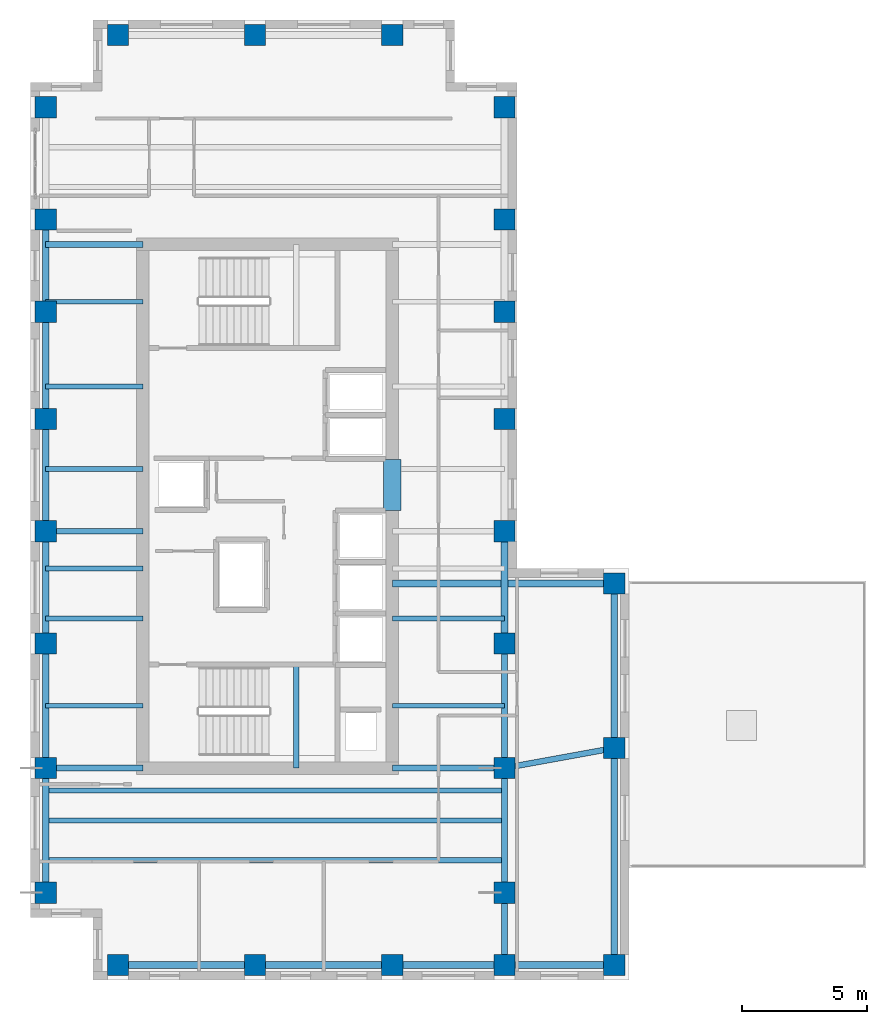
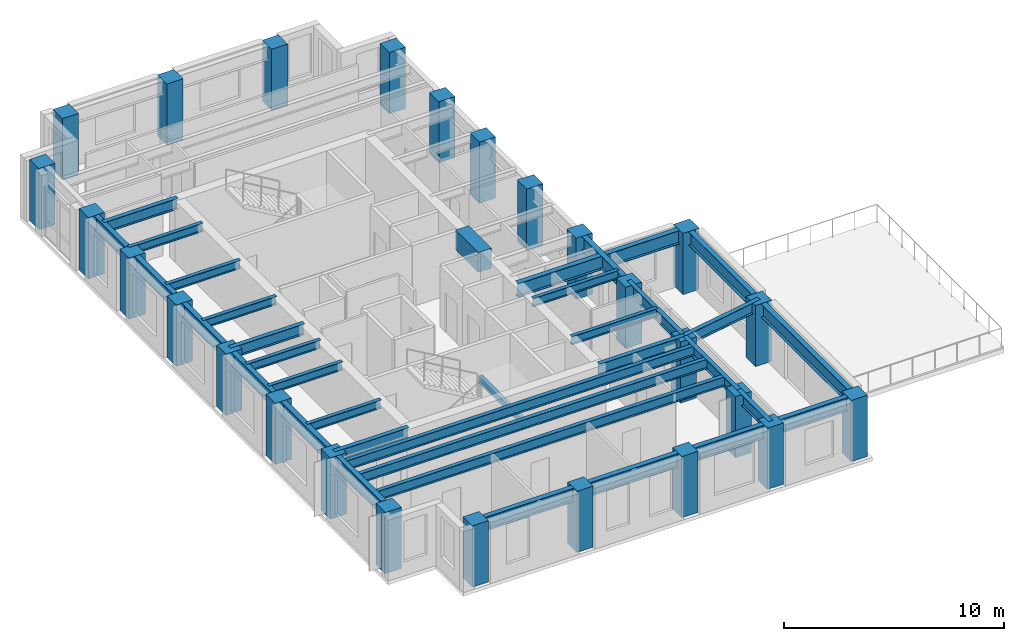
# One storey, part 1 of 11: 35 beams, 26 columns.
"""IFC4 building model written with IfcOpenShell, lengths in metres."""

from ifc_helpers import new_model, si_unit, direction, frame, origin, origin_2d, place, context, subcontext, project, spatial, rectangle, i_section, extrude, source, transform, mapped, material, material_profile, profile_set, type_object, element, save


model = new_model("IFC4")

# Units and contexts
model_context = context("Model", 3, precision=1e-05, world=origin(), true_north=direction((0.0, 1.0)))
body_context = subcontext(model_context, "Body", "Model", "MODEL_VIEW")
ifc_project = project(units=[si_unit("LENGTHUNIT", "METRE"), si_unit("AREAUNIT", "SQUARE_METRE"), si_unit("VOLUMEUNIT", "CUBIC_METRE"), si_unit("PLANEANGLEUNIT", "RADIAN"), si_unit("MASSUNIT", "GRAM", prefix="KILO")], contexts=[model_context])

# Site, building, storey
site_placement = place(None, origin())
site = spatial("IfcSite", under=ifc_project, at=site_placement, CompositionType="ELEMENT")
building_placement = place(site_placement, origin())
building = spatial("IfcBuilding", under=site, at=building_placement, Name="Kharzan Plaza Tower", CompositionType="ELEMENT")
storey_placement = place(building_placement, frame((0.0, 0.0, 262.800048828125)))
storey = spatial("IfcBuildingStorey", under=building, at=storey_placement, Name="L71", CompositionType="ELEMENT", Elevation=262.800048828125)

# Columns
ifc_material_1 = material(Name="Concrete C50/60", Category="concrete")
ifc_material_profile_1 = material_profile(ifc_material_1, rectangle(XDim=0.85009765625, YDim=0.85009765625, at=origin_2d()), Name="RC-TC850x850")
ifc_profile_set_1 = profile_set([ifc_material_profile_1], Name="Concrete C50/60")
column_type = type_object("IfcColumnType", Name="COL-TC850", PredefinedType="COLUMN", material=ifc_profile_set_1)
shared_shape_1 = source(origin(), body_context, "Body", "SweptSolid", [
    extrude(rectangle(XDim=0.85009765625, YDim=0.85009765625, at=origin_2d()), origin(), (0.0, 0.0, 1.0), 3.39990234375),
])
for number, where, z_axis, x_axis, name in (
    (1, (19.0, 13.5, 0.0), (0.0, 0.0, 1.0), (1.0, 0.0, 0.0), "L71 Structural Column TCA-135"),
    (2, (19.0, 18.0, 0.0), (0.0, 0.0, 1.0), (1.0, 0.0, 0.0), "L71 Structural Column TCA-180"),
    (3, (19.0, 22.5, 0.0), (0.0, 0.0, 1.0), (1.0, 0.0, 0.0), "L71 Structural Column TCA-225"),
    (4, (19.0, 26.800048828125, 0.0), (0.0, 0.0, 1.0), (1.0, 0.0, 0.0), "L71 Structural Column TCA-268"),
    (5, (19.0, 30.5, 0.0), (0.0, 0.0, 1.0), (1.0, 0.0, 0.0), "L71 Structural Column TCA-305"),
    (6, (19.0, 3.5, 0.0), (0.0, 0.0, 1.0), (1.0, 0.0, 0.0), "L71 Structural Column TCA-35"),
    (7, (19.0, 35.0, 0.0), (0.0, 0.0, 1.0), (1.0, 0.0, 0.0), "L71 Structural Column TCA-350"),
    (8, (19.0, 8.5, 0.0), (0.0, 0.0, 1.0), (1.0, 0.0, 0.0), "L71 Structural Column TCA-85"),
    (9, (14.5, 37.89990234375, 0.0), (0.0, 0.0, 1.0), (1.0, 0.0, 0.0), "L71 Structural Column TCN-145-379"),
    (10, (3.5, 37.89990234375, 0.0), (0.0, 0.0, 1.0), (1.0, 0.0, 0.0), "L71 Structural Column TCN-35-379"),
    (11, (9.0, 37.89990234375, 0.0), (0.0, 0.0, 1.0), (1.0, 0.0, 0.0), "L71 Structural Column TCN-90-379"),
    (12, (14.5, 0.60009765625, 0.0), (0.0, 0.0, 1.0), (1.0, 0.0, 0.0), "L71 Structural Column TCS-145"),
    (13, (19.0, 0.60009765625, 0.0), (0.0, 0.0, 1.0), (1.0, 0.0, 0.0), "L71 Structural Column TCS-190"),
    (14, (23.39990234375, 0.60009765625, 0.0), (0.0, 0.0, 1.0), (1.0, 0.0, 0.0), "L71 Structural Column TCS-234"),
    (15, (3.5, 0.60009765625, 0.0), (0.0, 0.0, 1.0), (1.0, 0.0, 0.0), "L71 Structural Column TCS-35"),
    (16, (9.0, 0.60009765625, 0.0), (0.0, 0.0, 1.0), (1.0, 0.0, 0.0), "L71 Structural Column TCS-90"),
    (17, (23.39990234375, 15.89990234375, 0.0), (0.0, 0.0, 1.0), (1.0, 0.0, 0.0), "L71 Structural Column TCSP-234-159"),
    (18, (23.39990234375, 9.300048828125, 0.0), (0.0, 0.0, 1.0), (1.0, 0.0, 0.0), "L71 Structural Column TCSP-234-93"),
    (19, (0.60009765625, 13.5, 0.0), (0.0, 0.0, 1.0), (1.0, 0.0, 0.0), "L71 Structural Column TCW-135"),
    (20, (0.60009765625, 18.0, 0.0), (0.0, 0.0, 1.0), (1.0, 0.0, 0.0), "L71 Structural Column TCW-180"),
    (21, (0.60009765625, 22.5, 0.0), (0.0, 0.0, 1.0), (1.0, 0.0, 0.0), "L71 Structural Column TCW-225"),
    (22, (0.60009765625, 26.800048828125, 0.0), (0.0, 0.0, 1.0), (1.0, 0.0, 0.0), "L71 Structural Column TCW-268"),
    (23, (0.60009765625, 30.5, 0.0), (0.0, 0.0, 1.0), (1.0, 0.0, 0.0), "L71 Structural Column TCW-305"),
    (24, (0.60009765625, 3.5, 0.0), (0.0, 0.0, 1.0), (1.0, 0.0, 0.0), "L71 Structural Column TCW-35"),
    (25, (0.60009765625, 35.0, 0.0), (0.0, 0.0, 1.0), (1.0, 0.0, 0.0), "L71 Structural Column TCW-350"),
    (26, (0.60009765625, 8.5, 0.0), (0.0, 0.0, 1.0), (1.0, 0.0, 0.0), "L71 Structural Column TCW-85"),
):
    element("IfcColumn", number, at=place(storey_placement, frame(where, z_axis=z_axis, x_axis=x_axis)), inside=storey, type_object=column_type, Name=name, PredefinedType="COLUMN", context=body_context, shape_type="MappedRepresentation", body=[
        mapped(shared_shape_1, transform((0.0, 0.0, 0.0), x_axis=(1.0, 0.0, 0.0), y_axis=(0.0, 1.0, 0.0), z_axis=(0.0, 0.0, 1.0))),
    ])

# Beams
ifc_material_2 = material(Name="Concrete C60/75", Category="concrete")
ifc_material_profile_2 = material_profile(ifc_material_2, rectangle(XDim=0.699951171875, YDim=1.10009765625, at=origin_2d()), Name="RC-CB1100x700")
ifc_profile_set_2 = profile_set([ifc_material_profile_2], Name="Concrete C60/75")
beam_type_1 = type_object("IfcBeamType", Name="BM-RCCB1100", PredefinedType="LINTEL", material=ifc_profile_set_2)
shared_shape_2 = source(origin(), body_context, "Body", "SweptSolid", [
    extrude(rectangle(XDim=0.699951171875, YDim=1.10009765625, at=origin_2d()), origin(), (0.0, 0.0, 1.0), 2.059814453125),
])
beam_1_placement = place(storey_placement, frame((14.5, 18.820068359375, 2.849853515625), z_axis=(0.0, 1.0, 0.0), x_axis=(-1.0, 0.0, 0.0)))
element("IfcBeam", 27, at=beam_1_placement, inside=storey, type_object=beam_type_1, Name="L71 CORE-A RC coupling beam CB1", PredefinedType="LINTEL", context=body_context, shape_type="MappedRepresentation", body=[
    mapped(shared_shape_2, transform((0.0, 0.0, 0.0), x_axis=(1.0, 0.0, 0.0), y_axis=(0.0, 1.0, 0.0), z_axis=(0.0, 0.0, 1.0))),
])
ifc_material_3 = material(Name="Steel S355", Category="steel")
ifc_material_profile_3 = material_profile(ifc_material_3, i_section(OverallWidth=0.205078125, OverallDepth=0.35400390625, WebThickness=0.009521484375, FlangeThickness=0.016845703125, at=origin_2d()), Name="W360x79")
ifc_profile_set_3 = profile_set([ifc_material_profile_3], Name="Steel S355")
beam_type_2 = type_object("IfcBeamType", Name="BM-LNT360", PredefinedType="LINTEL", material=ifc_profile_set_3)
shared_shape_3 = source(origin(), body_context, "Body", "SweptSolid", [
    extrude(i_section(OverallWidth=0.205078125, OverallDepth=0.35400390625, WebThickness=0.009521484375, FlangeThickness=0.016845703125, at=origin_2d()), origin(), (0.0, 0.0, 1.0), 4.155029296875),
])
beam_2_placement = place(storey_placement, frame((10.64990234375, 8.5, 1.4228515625), z_axis=(0.0, 1.0, 0.0), x_axis=(-1.0, 0.0, 0.0)))
element("IfcBeam", 28, at=beam_2_placement, inside=storey, type_object=beam_type_2, Name="L71 Stair ST-1 Half-Landing Beam", PredefinedType="LINTEL", context=body_context, shape_type="MappedRepresentation", body=[
    mapped(shared_shape_3, transform((0.0, 0.0, 0.0), x_axis=(1.0, 0.0, 0.0), y_axis=(0.0, 1.0, 0.0), z_axis=(0.0, 0.0, 1.0))),
])
ifc_material_profile_4 = material_profile(ifc_material_3, i_section(OverallWidth=0.2099609375, OverallDepth=0.537109375, WebThickness=0.010986328125, FlangeThickness=0.017333984375, at=origin_2d()), Name="W530x101")
ifc_profile_set_4 = profile_set([ifc_material_profile_4], Name="Steel S355")
beam_type_3 = type_object("IfcBeamType", Name="BM-JST530B", PredefinedType="JOIST", material=ifc_profile_set_4)
shared_shape_4 = source(origin(), body_context, "Body", "SweptSolid", [
    extrude(i_section(OverallWidth=0.2099609375, OverallDepth=0.537109375, WebThickness=0.010986328125, FlangeThickness=0.017333984375, at=origin_2d()), origin(), (0.0, 0.0, 1.0), 18.39990234375),
])
for number, where, z_axis, x_axis, name in (
    (29, (0.60009765625, 4.800048828125, 3.13134765625), (1.0, 0.0, 0.0), (0.0, 1.0, 0.0), "L71 Wing A Composite Joist 01"),
    (30, (0.60009765625, 6.39990234375, 3.13134765625), (1.0, 0.0, 0.0), (0.0, 1.0, 0.0), "L71 Wing A Composite Joist 02"),
    (31, (0.60009765625, 7.60009765625, 3.13134765625), (1.0, 0.0, 0.0), (0.0, 1.0, 0.0), "L71 Wing A Composite Joist 03"),
):
    element("IfcBeam", number, at=place(storey_placement, frame(where, z_axis=z_axis, x_axis=x_axis)), inside=storey, type_object=beam_type_3, Name=name, PredefinedType="JOIST", context=body_context, shape_type="MappedRepresentation", body=[
        mapped(shared_shape_4, transform((0.0, 0.0, 0.0), x_axis=(1.0, 0.0, 0.0), y_axis=(0.0, 1.0, 0.0), z_axis=(0.0, 0.0, 1.0))),
    ])
ifc_material_profile_5 = material_profile(ifc_material_3, i_section(OverallWidth=0.194091796875, OverallDepth=0.468994140625, WebThickness=0.011474609375, FlangeThickness=0.0205078125, at=origin_2d()), Name="W460x106")
ifc_profile_set_5 = profile_set([ifc_material_profile_5], Name="Steel S355")
beam_type_4 = type_object("IfcBeamType", Name="BM-JST460", PredefinedType="JOIST", material=ifc_profile_set_5)
shared_shape_5 = source(origin(), body_context, "Body", "SweptSolid", [
    extrude(i_section(OverallWidth=0.194091796875, OverallDepth=0.468994140625, WebThickness=0.011474609375, FlangeThickness=0.0205078125, at=origin_2d()), origin(), (0.0, 0.0, 1.0), 4.5),
])
for number, where, z_axis, x_axis, name in (
    (32, (14.5, 11.0, 3.16552734375), (1.0, 0.0, 0.0), (0.0, 1.0, 0.0), "L71 Wing A East Infill Joist 1"),
    (33, (14.5, 14.5, 3.16552734375), (1.0, 0.0, 0.0), (0.0, 1.0, 0.0), "L71 Wing A East Infill Joist 2"),
):
    element("IfcBeam", number, at=place(storey_placement, frame(where, z_axis=z_axis, x_axis=x_axis)), inside=storey, type_object=beam_type_4, Name=name, PredefinedType="JOIST", context=body_context, shape_type="MappedRepresentation", body=[
        mapped(shared_shape_5, transform((0.0, 0.0, 0.0), x_axis=(1.0, 0.0, 0.0), y_axis=(0.0, 1.0, 0.0), z_axis=(0.0, 0.0, 1.0))),
    ])
shared_shape_6 = source(origin(), body_context, "Body", "SweptSolid", [
    extrude(i_section(OverallWidth=0.194091796875, OverallDepth=0.468994140625, WebThickness=0.011474609375, FlangeThickness=0.0205078125, at=origin_2d()), origin(), (0.0, 0.0, 1.0), 3.89990234375),
])
for number, where, z_axis, x_axis, name in (
    (34, (0.60009765625, 11.0, 3.16552734375), (1.0, 0.0, 0.0), (0.0, 1.0, 0.0), "L71 Wing A West Infill Joist 1"),
    (35, (0.60009765625, 14.5, 3.16552734375), (1.0, 0.0, 0.0), (0.0, 1.0, 0.0), "L71 Wing A West Infill Joist 2"),
    (36, (0.60009765625, 16.5, 3.16552734375), (1.0, 0.0, 0.0), (0.0, 1.0, 0.0), "L71 Wing A West Infill Joist 3"),
    (37, (0.60009765625, 20.5, 3.16552734375), (1.0, 0.0, 0.0), (0.0, 1.0, 0.0), "L71 Wing A West Infill Joist 4"),
    (38, (0.60009765625, 23.800048828125, 3.16552734375), (1.0, 0.0, 0.0), (0.0, 1.0, 0.0), "L71 Wing A West Infill Joist 5"),
    (39, (0.60009765625, 27.199951171875, 3.16552734375), (1.0, 0.0, 0.0), (0.0, 1.0, 0.0), "L71 Wing A West Infill Joist 6"),
):
    element("IfcBeam", number, at=place(storey_placement, frame(where, z_axis=z_axis, x_axis=x_axis)), inside=storey, type_object=beam_type_4, Name=name, PredefinedType="JOIST", context=body_context, shape_type="MappedRepresentation", body=[
        mapped(shared_shape_6, transform((0.0, 0.0, 0.0), x_axis=(1.0, 0.0, 0.0), y_axis=(0.0, 1.0, 0.0), z_axis=(0.0, 0.0, 1.0))),
    ])
ifc_material_profile_6 = material_profile(ifc_material_3, i_section(OverallWidth=0.22900390625, OverallDepth=0.612060546875, WebThickness=0.011962890625, FlangeThickness=0.01953125, at=origin_2d()), Name="W610x125")
ifc_profile_set_6 = profile_set([ifc_material_profile_6], Name="Steel S355")
beam_type_5 = type_object("IfcBeamType", Name="BM-FG610B", PredefinedType="BEAM", material=ifc_profile_set_6)
shared_shape_7 = source(origin(), body_context, "Body", "SweptSolid", [
    extrude(i_section(OverallWidth=0.22900390625, OverallDepth=0.612060546875, WebThickness=0.011962890625, FlangeThickness=0.01953125, at=origin_2d()), origin(), (0.0, 0.0, 1.0), 4.5),
])
beam_3_placement = place(storey_placement, frame((14.5, 8.5, 3.093994140625), z_axis=(1.0, 0.0, 0.0), x_axis=(0.0, 1.0, 0.0)))
element("IfcBeam", 40, at=beam_3_placement, inside=storey, type_object=beam_type_5, Name="L71 Core-A East Floor Girder 1", PredefinedType="BEAM", context=body_context, shape_type="MappedRepresentation", body=[
    mapped(shared_shape_7, transform((0.0, 0.0, 0.0), x_axis=(1.0, 0.0, 0.0), y_axis=(0.0, 1.0, 0.0), z_axis=(0.0, 0.0, 1.0))),
])
shared_shape_8 = source(origin(), body_context, "Body", "SweptSolid", [
    extrude(i_section(OverallWidth=0.22900390625, OverallDepth=0.612060546875, WebThickness=0.011962890625, FlangeThickness=0.01953125, at=origin_2d()), origin(), (0.0, 0.0, 1.0), 3.89990234375),
])
for number, where, z_axis, x_axis, name in (
    (41, (0.60009765625, 8.5, 3.093994140625), (1.0, 0.0, 0.0), (0.0, 1.0, 0.0), "L71 Core-A West Floor Girder 1"),
    (42, (0.60009765625, 18.0, 3.093994140625), (1.0, 0.0, 0.0), (0.0, 1.0, 0.0), "L71 Core-A West Floor Girder 2"),
    (43, (0.60009765625, 29.5, 3.093994140625), (1.0, 0.0, 0.0), (0.0, 1.0, 0.0), "L71 Core-A West Floor Girder 3"),
):
    element("IfcBeam", number, at=place(storey_placement, frame(where, z_axis=z_axis, x_axis=x_axis)), inside=storey, type_object=beam_type_5, Name=name, PredefinedType="BEAM", context=body_context, shape_type="MappedRepresentation", body=[
        mapped(shared_shape_8, transform((0.0, 0.0, 0.0), x_axis=(1.0, 0.0, 0.0), y_axis=(0.0, 1.0, 0.0), z_axis=(0.0, 0.0, 1.0))),
    ])
shared_shape_9 = source(origin(), body_context, "Body", "SweptSolid", [
    extrude(i_section(OverallWidth=0.22900390625, OverallDepth=0.612060546875, WebThickness=0.011962890625, FlangeThickness=0.01953125, at=origin_2d()), origin(), (0.0, 0.0, 1.0), 5.0),
])
for number, where, z_axis, x_axis, name in (
    (44, (19.0, 3.5, 3.093994140625), (0.0, 1.0, 0.0), (-1.0, 0.0, 0.0), "L71 Interior Frame Girder"),
    (45, (19.0, 8.5, 3.093994140625), (0.0, 1.0, 0.0), (-1.0, 0.0, 0.0), "L71 Interior Frame Girder"),
):
    element("IfcBeam", number, at=place(storey_placement, frame(where, z_axis=z_axis, x_axis=x_axis)), inside=storey, type_object=beam_type_5, Name=name, PredefinedType="BEAM", context=body_context, shape_type="MappedRepresentation", body=[
        mapped(shared_shape_9, transform((0.0, 0.0, 0.0), x_axis=(1.0, 0.0, 0.0), y_axis=(0.0, 1.0, 0.0), z_axis=(0.0, 0.0, 1.0))),
    ])
shared_shape_10 = source(origin(), body_context, "Body", "SweptSolid", [
    extrude(i_section(OverallWidth=0.22900390625, OverallDepth=0.612060546875, WebThickness=0.011962890625, FlangeThickness=0.01953125, at=origin_2d()), origin(), (0.0, 0.0, 1.0), 2.89990234375),
])
beam_4_placement = place(storey_placement, frame((19.0, 0.60009765625, 3.093994140625), z_axis=(0.0, 1.0, 0.0), x_axis=(-1.0, 0.0, 0.0)))
element("IfcBeam", 46, at=beam_4_placement, inside=storey, type_object=beam_type_5, Name="L71 Interior Frame Girder", PredefinedType="BEAM", context=body_context, shape_type="MappedRepresentation", body=[
    mapped(shared_shape_10, transform((0.0, 0.0, 0.0), x_axis=(1.0, 0.0, 0.0), y_axis=(0.0, 1.0, 0.0), z_axis=(0.0, 0.0, 1.0))),
])
ifc_material_profile_7 = material_profile(ifc_material_3, i_section(OverallWidth=0.26708984375, OverallDepth=0.76611328125, WebThickness=0.014892578125, FlangeThickness=0.023681640625, at=origin_2d()), Name="W760x185")
ifc_profile_set_7 = profile_set([ifc_material_profile_7], Name="Steel S355")
beam_type_6 = type_object("IfcBeamType", Name="BM-SP760B", PredefinedType="SPANDREL", material=ifc_profile_set_7)
shared_shape_11 = source(origin(), body_context, "Body", "SweptSolid", [
    extrude(i_section(OverallWidth=0.26708984375, OverallDepth=0.76611328125, WebThickness=0.014892578125, FlangeThickness=0.023681640625, at=origin_2d()), origin(), (0.0, 0.0, 1.0), 5.0),
])
for number, where, z_axis, x_axis, name in (
    (47, (0.60009765625, 3.5, 3.016845703125), (0.0, 1.0, 0.0), (-1.0, 0.0, 0.0), "L71 Perimeter Tube Spandrel"),
    (48, (0.60009765625, 8.5, 3.016845703125), (0.0, 1.0, 0.0), (-1.0, 0.0, 0.0), "L71 Perimeter Tube Spandrel"),
):
    element("IfcBeam", number, at=place(storey_placement, frame(where, z_axis=z_axis, x_axis=x_axis)), inside=storey, type_object=beam_type_6, Name=name, PredefinedType="SPANDREL", context=body_context, shape_type="MappedRepresentation", body=[
        mapped(shared_shape_11, transform((0.0, 0.0, 0.0), x_axis=(1.0, 0.0, 0.0), y_axis=(0.0, 1.0, 0.0), z_axis=(0.0, 0.0, 1.0))),
    ])
shared_shape_12 = source(origin(), body_context, "Body", "SweptSolid", [
    extrude(i_section(OverallWidth=0.26708984375, OverallDepth=0.76611328125, WebThickness=0.014892578125, FlangeThickness=0.023681640625, at=origin_2d()), origin(), (0.0, 0.0, 1.0), 4.5),
])
for number, where, z_axis, x_axis, name in (
    (49, (0.60009765625, 13.5, 3.016845703125), (0.0, 1.0, 0.0), (-1.0, 0.0, 0.0), "L71 Perimeter Tube Spandrel"),
    (50, (0.60009765625, 18.0, 3.016845703125), (0.0, 1.0, 0.0), (-1.0, 0.0, 0.0), "L71 Perimeter Tube Spandrel"),
    (51, (19.0, 13.5, 3.016845703125), (0.0, 1.0, 0.0), (-1.0, 0.0, 0.0), "L71 Perimeter Tube Spandrel"),
    (52, (14.5, 0.60009765625, 3.016845703125), (1.0, 0.0, 0.0), (0.0, 1.0, 0.0), "L71 Perimeter Tube Spandrel"),
):
    element("IfcBeam", number, at=place(storey_placement, frame(where, z_axis=z_axis, x_axis=x_axis)), inside=storey, type_object=beam_type_6, Name=name, PredefinedType="SPANDREL", context=body_context, shape_type="MappedRepresentation", body=[
        mapped(shared_shape_12, transform((0.0, 0.0, 0.0), x_axis=(1.0, 0.0, 0.0), y_axis=(0.0, 1.0, 0.0), z_axis=(0.0, 0.0, 1.0))),
    ])
shared_shape_13 = source(origin(), body_context, "Body", "SweptSolid", [
    extrude(i_section(OverallWidth=0.26708984375, OverallDepth=0.76611328125, WebThickness=0.014892578125, FlangeThickness=0.023681640625, at=origin_2d()), origin(), (0.0, 0.0, 1.0), 4.300048828125),
])
beam_5_placement = place(storey_placement, frame((0.60009765625, 22.5, 3.016845703125), z_axis=(0.0, 1.0, 0.0), x_axis=(-1.0, 0.0, 0.0)))
element("IfcBeam", 53, at=beam_5_placement, inside=storey, type_object=beam_type_6, Name="L71 Perimeter Tube Spandrel", PredefinedType="SPANDREL", context=body_context, shape_type="MappedRepresentation", body=[
    mapped(shared_shape_13, transform((0.0, 0.0, 0.0), x_axis=(1.0, 0.0, 0.0), y_axis=(0.0, 1.0, 0.0), z_axis=(0.0, 0.0, 1.0))),
])
shared_shape_14 = source(origin(), body_context, "Body", "SweptSolid", [
    extrude(i_section(OverallWidth=0.26708984375, OverallDepth=0.76611328125, WebThickness=0.014892578125, FlangeThickness=0.023681640625, at=origin_2d()), origin(), (0.0, 0.0, 1.0), 3.699951171875),
])
beam_6_placement = place(storey_placement, frame((0.60009765625, 26.800048828125, 3.016845703125), z_axis=(0.0, 1.0, 0.0), x_axis=(-1.0, 0.0, 0.0)))
element("IfcBeam", 54, at=beam_6_placement, inside=storey, type_object=beam_type_6, Name="L71 Perimeter Tube Spandrel", PredefinedType="SPANDREL", context=body_context, shape_type="MappedRepresentation", body=[
    mapped(shared_shape_14, transform((0.0, 0.0, 0.0), x_axis=(1.0, 0.0, 0.0), y_axis=(0.0, 1.0, 0.0), z_axis=(0.0, 0.0, 1.0))),
])
shared_shape_15 = source(origin(), body_context, "Body", "SweptSolid", [
    extrude(i_section(OverallWidth=0.26708984375, OverallDepth=0.76611328125, WebThickness=0.014892578125, FlangeThickness=0.023681640625, at=origin_2d()), origin(), (0.0, 0.0, 1.0), 5.5),
])
for number, where, z_axis, x_axis, name in (
    (55, (3.5, 0.60009765625, 3.016845703125), (1.0, 0.0, 0.0), (0.0, 1.0, 0.0), "L71 Perimeter Tube Spandrel"),
    (56, (9.0, 0.60009765625, 3.016845703125), (1.0, 0.0, 0.0), (0.0, 1.0, 0.0), "L71 Perimeter Tube Spandrel"),
):
    element("IfcBeam", number, at=place(storey_placement, frame(where, z_axis=z_axis, x_axis=x_axis)), inside=storey, type_object=beam_type_6, Name=name, PredefinedType="SPANDREL", context=body_context, shape_type="MappedRepresentation", body=[
        mapped(shared_shape_15, transform((0.0, 0.0, 0.0), x_axis=(1.0, 0.0, 0.0), y_axis=(0.0, 1.0, 0.0), z_axis=(0.0, 0.0, 1.0))),
    ])
shared_shape_16 = source(origin(), body_context, "Body", "SweptSolid", [
    extrude(i_section(OverallWidth=0.26708984375, OverallDepth=0.76611328125, WebThickness=0.014892578125, FlangeThickness=0.023681640625, at=origin_2d()), origin(), (0.0, 0.0, 1.0), 4.39990234375),
])
beam_7_placement = place(storey_placement, frame((19.0, 0.60009765625, 3.016845703125), z_axis=(1.0, 0.0, 0.0), x_axis=(0.0, 1.0, 0.0)))
element("IfcBeam", 57, at=beam_7_placement, inside=storey, type_object=beam_type_6, Name="L71 Perimeter Tube Spandrel", PredefinedType="SPANDREL", context=body_context, shape_type="MappedRepresentation", body=[
    mapped(shared_shape_16, transform((0.0, 0.0, 0.0), x_axis=(1.0, 0.0, 0.0), y_axis=(0.0, 1.0, 0.0), z_axis=(0.0, 0.0, 1.0))),
])
shared_shape_17 = source(origin(), body_context, "Body", "SweptSolid", [
    extrude(i_section(OverallWidth=0.22900390625, OverallDepth=0.612060546875, WebThickness=0.011962890625, FlangeThickness=0.01953125, at=origin_2d()), origin(), (0.0, 0.0, 1.0), 4.47216796875),
])
beam_8_placement = place(storey_placement, frame((19.0, 8.5, 3.093994140625), z_axis=(0.983867289551, 0.178899850619, 0.0), x_axis=(-0.178899850619, 0.983867289551, 0.0)))
element("IfcBeam", 58, at=beam_8_placement, inside=storey, type_object=beam_type_5, Name="L71 Shoulder Mid Girder", PredefinedType="BEAM", context=body_context, shape_type="MappedRepresentation", body=[
    mapped(shared_shape_17, transform((0.0, 0.0, 0.0), x_axis=(1.0, 0.0, 0.0), y_axis=(0.0, 1.0, 0.0), z_axis=(0.0, 0.0, 1.0))),
])
shared_shape_18 = source(origin(), body_context, "Body", "SweptSolid", [
    extrude(i_section(OverallWidth=0.26708984375, OverallDepth=0.76611328125, WebThickness=0.014892578125, FlangeThickness=0.023681640625, at=origin_2d()), origin(), (0.0, 0.0, 1.0), 8.89990234375),
])
beam_9_placement = place(storey_placement, frame((14.5, 15.89990234375, 3.016845703125), z_axis=(1.0, 0.0, 0.0), x_axis=(0.0, 1.0, 0.0)))
element("IfcBeam", 59, at=beam_9_placement, inside=storey, type_object=beam_type_6, Name="L71 Shoulder North Edge Girder", PredefinedType="SPANDREL", context=body_context, shape_type="MappedRepresentation", body=[
    mapped(shared_shape_18, transform((0.0, 0.0, 0.0), x_axis=(1.0, 0.0, 0.0), y_axis=(0.0, 1.0, 0.0), z_axis=(0.0, 0.0, 1.0))),
])
shared_shape_19 = source(origin(), body_context, "Body", "SweptSolid", [
    extrude(i_section(OverallWidth=0.26708984375, OverallDepth=0.76611328125, WebThickness=0.014892578125, FlangeThickness=0.023681640625, at=origin_2d()), origin(), (0.0, 0.0, 1.0), 8.699951171875),
])
beam_10_placement = place(storey_placement, frame((23.39990234375, 0.60009765625, 3.016845703125), z_axis=(0.0, 1.0, 0.0), x_axis=(-1.0, 0.0, 0.0)))
element("IfcBeam", 60, at=beam_10_placement, inside=storey, type_object=beam_type_6, Name="L71 Perimeter Tube Spandrel", PredefinedType="SPANDREL", context=body_context, shape_type="MappedRepresentation", body=[
    mapped(shared_shape_19, transform((0.0, 0.0, 0.0), x_axis=(1.0, 0.0, 0.0), y_axis=(0.0, 1.0, 0.0), z_axis=(0.0, 0.0, 1.0))),
])
shared_shape_20 = source(origin(), body_context, "Body", "SweptSolid", [
    extrude(i_section(OverallWidth=0.26708984375, OverallDepth=0.76611328125, WebThickness=0.014892578125, FlangeThickness=0.023681640625, at=origin_2d()), origin(), (0.0, 0.0, 1.0), 6.599853515625),
])
beam_11_placement = place(storey_placement, frame((23.39990234375, 9.300048828125, 3.016845703125), z_axis=(0.0, 1.0, 0.0), x_axis=(-1.0, 0.0, 0.0)))
element("IfcBeam", 61, at=beam_11_placement, inside=storey, type_object=beam_type_6, Name="L71 Perimeter Tube Spandrel", PredefinedType="SPANDREL", context=body_context, shape_type="MappedRepresentation", body=[
    mapped(shared_shape_20, transform((0.0, 0.0, 0.0), x_axis=(1.0, 0.0, 0.0), y_axis=(0.0, 1.0, 0.0), z_axis=(0.0, 0.0, 1.0))),
])

save(model, "model.ifc")
